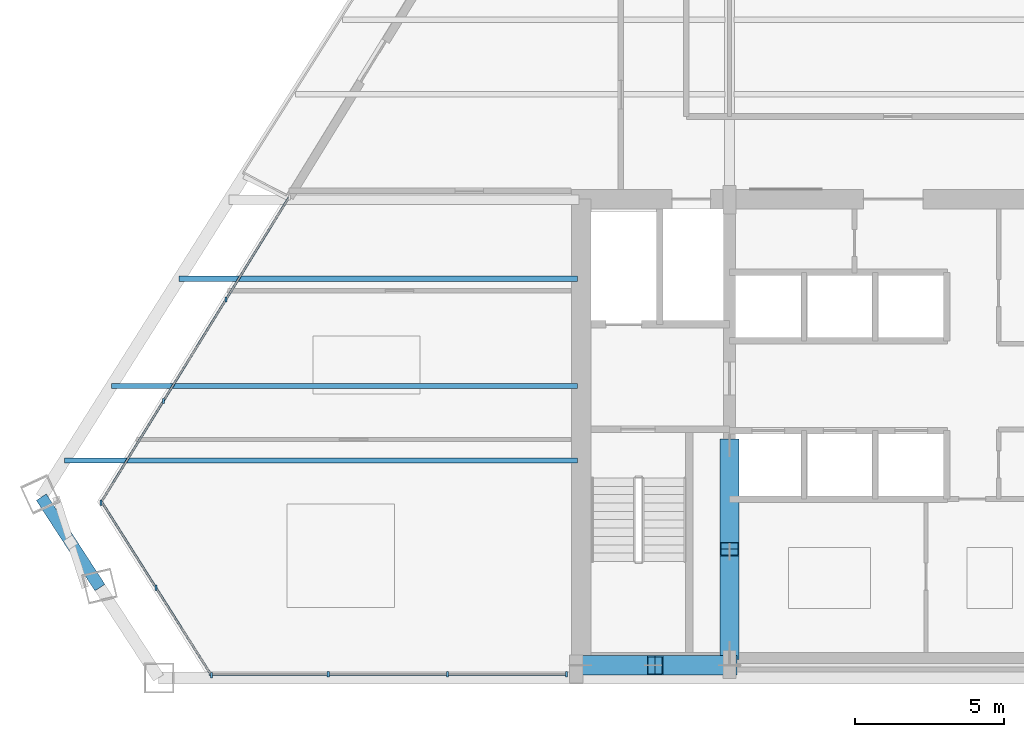
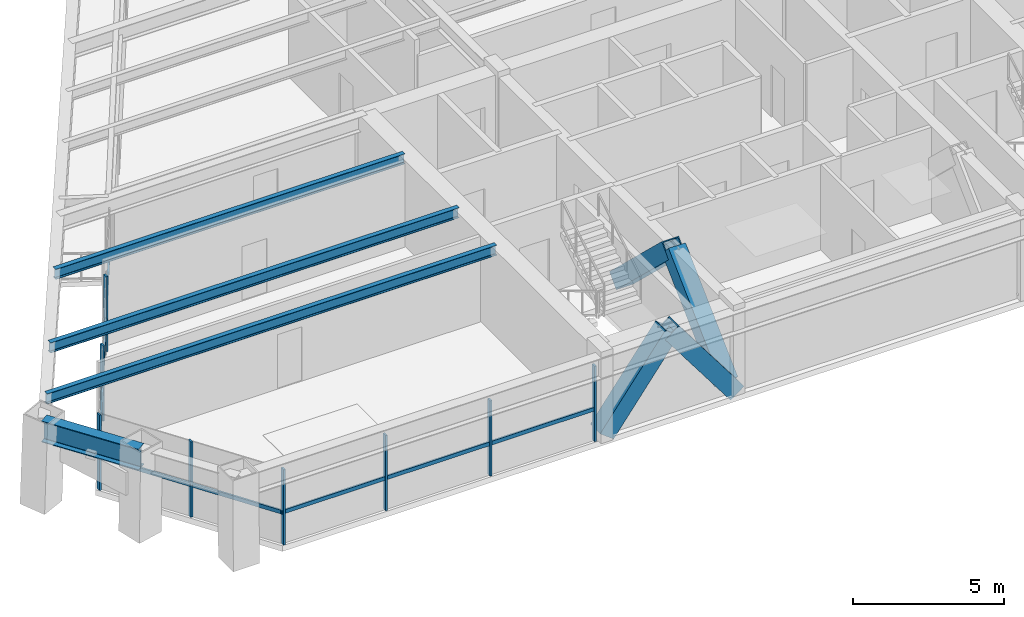
# One storey, part 2 of 15: 20 members, 4 beams, 3 elements without a shape of their own.
"""IFC4 building model written with IfcOpenShell, lengths in metres."""

from ifc_helpers import new_model, si_unit, direction, frame, origin, origin_2d, place, context, subcontext, project, spatial, rectangle, hollow_rectangle, i_section, extrude, source, transform, mapped, material, material_profile, profile_set, type_object, element, aggregate, save


model = new_model("IFC4")

# Units and contexts
model_context = context("Model", 3, precision=1e-05, world=origin(), true_north=direction((0.0, 1.0)))
body_context = subcontext(model_context, "Body", "Model", "MODEL_VIEW")
ifc_project = project(units=[si_unit("LENGTHUNIT", "METRE"), si_unit("AREAUNIT", "SQUARE_METRE"), si_unit("VOLUMEUNIT", "CUBIC_METRE"), si_unit("PLANEANGLEUNIT", "RADIAN"), si_unit("MASSUNIT", "GRAM", prefix="KILO")], contexts=[model_context])

# Site, building, storey
site_placement = place(None, origin())
site = spatial("IfcSite", under=ifc_project, at=site_placement, CompositionType="ELEMENT")
building_placement = place(site_placement, origin())
building = spatial("IfcBuilding", under=site, at=building_placement, Name="Varnakhor Terracotta Tower", CompositionType="ELEMENT")
storey_placement = place(building_placement, frame((0.0, 0.0, 193.199951171875)))
storey = spatial("IfcBuildingStorey", under=building, at=storey_placement, Name="L49", CompositionType="ELEMENT", Elevation=193.199951171875)

# Members
ifc_material_1 = material(Name="Steel S460", Category="steel")
ifc_material_profile_1 = material_profile(ifc_material_1, hollow_rectangle(XDim=0.64990234375, YDim=0.64990234375, WallThickness=0.0400390625, at=origin_2d()), Name="HSS650X650X40")
ifc_profile_set_1 = profile_set([ifc_material_profile_1], Name="Steel S460")
member_type_1 = type_object("IfcMemberType", Name="MBR-MEGA-650", PredefinedType="BRACE", material=ifc_profile_set_1)
shared_shape_1 = source(origin(), body_context, "Body", "SweptSolid", [
    extrude(hollow_rectangle(XDim=0.64990234375, YDim=0.64990234375, WallThickness=0.0400390625, at=origin_2d()), origin(), (0.0, 0.0, 1.0), 4.805908203125),
])
member_1_placement = place(storey_placement, frame((-5.5, 0.85009765625, 0.0), z_axis=(0.0, 0.723026776832, 0.69082000549), x_axis=(-1.0, 0.0, 0.0)))
element("IfcMember", 1, at=member_1_placement, inside=storey, type_object=member_type_1, Name="L49 Core Coupled Brace CWWA", PredefinedType="BRACE", context=body_context, shape_type="MappedRepresentation", body=[
    mapped(shared_shape_1, transform((0.0, 0.0, 0.0), scale=1.0)),
])
shared_shape_2 = source(origin(), body_context, "Body", "SweptSolid", [
    extrude(hollow_rectangle(XDim=0.64990234375, YDim=0.64990234375, WallThickness=0.0400390625, at=origin_2d()), origin(), (0.0, 0.0, 1.0), 4.156005859375),
])
for number, where, z_axis, x_axis, name in (
    (2, (-10.5, 0.419921875, 0.0), (0.601530923869, 0.0, 0.798849515009), (0.0, 1.0, 0.0), "L49 Core Coupled Brace CSWA"),
    (3, (-5.5, 0.419921875, 0.0), (-0.601530923869, 0.0, 0.798849515009), (0.0, -1.0, 0.0), "L49 Core Coupled Brace CSWB"),
):
    element("IfcMember", number, at=place(storey_placement, frame(where, z_axis=z_axis, x_axis=x_axis)), inside=storey, type_object=member_type_1, Name=name, PredefinedType="BRACE", context=body_context, shape_type="MappedRepresentation", body=[
        mapped(shared_shape_2, transform((0.0, 0.0, 0.0), scale=1.0)),
    ])
shared_shape_3 = source(origin(), body_context, "Body", "SweptSolid", [
    extrude(hollow_rectangle(XDim=0.64990234375, YDim=0.64990234375, WallThickness=0.0400390625, at=origin_2d()), origin(), (0.0, 0.0, 1.0), 4.80615234375),
])
member_2_placement = place(storey_placement, frame((-5.5, 7.800048828125, 0.0), z_axis=(0.0, -0.723051018573, 0.690794632681), x_axis=(1.0, 0.0, 0.0)))
element("IfcMember", 4, at=member_2_placement, inside=storey, type_object=member_type_1, Name="L49 Core Coupled Brace CWWB", PredefinedType="BRACE", context=body_context, shape_type="MappedRepresentation", body=[
    mapped(shared_shape_3, transform((0.0, 0.0, 0.0), scale=1.0)),
])

# Beams
ifc_material_2 = material(Name="Steel S355", Category="steel")
ifc_material_profile_2 = material_profile(ifc_material_2, i_section(OverallWidth=0.39990234375, OverallDepth=0.85498046875, WebThickness=0.01806640625, FlangeThickness=0.029052734375, FilletRadius=0.01806640625, at=origin_2d()), Name="W33X201")
ifc_profile_set_2 = profile_set([ifc_material_profile_2], Name="Steel S355")
beam_type_1 = type_object("IfcBeamType", Name="BM-W33X201", PredefinedType="BEAM", material=ifc_profile_set_2)
shared_shape_4 = source(origin(), body_context, "Body", "SweptSolid", [
    extrude(i_section(OverallWidth=0.39990234375, OverallDepth=0.85498046875, WebThickness=0.01806640625, FlangeThickness=0.029052734375, FilletRadius=0.01806640625, at=origin_2d()), origin(), (0.0, 0.0, 1.0), 3.6162109375),
])
beam_1_placement = place(storey_placement, frame((-28.607421875, 6.067626953125, 3.04248046875), z_axis=(0.544155143923, -0.838984612101, 0.0), x_axis=(0.838984612101, 0.544155143923, 0.0)))
element("IfcBeam", 5, at=beam_1_placement, inside=storey, type_object=beam_type_1, Name="L49 Perimeter Spandrel 7", PredefinedType="BEAM", context=body_context, shape_type="MappedRepresentation", body=[
    mapped(shared_shape_4, transform((0.0, 0.0, 0.0), scale=1.0)),
])
ifc_material_profile_3 = material_profile(ifc_material_2, i_section(OverallWidth=0.179931640625, OverallDepth=0.4130859375, WebThickness=0.009765625, FlangeThickness=0.01611328125, FilletRadius=0.01806640625, at=origin_2d()), Name="W16X50")
ifc_profile_set_3 = profile_set([ifc_material_profile_3], Name="Steel S355")
beam_type_2 = type_object("IfcBeamType", Name="JST-W16X50", PredefinedType="JOIST", material=ifc_profile_set_3)
shared_shape_5 = source(origin(), body_context, "Body", "SweptSolid", [
    extrude(i_section(OverallWidth=0.179931640625, OverallDepth=0.4130859375, WebThickness=0.009765625, FlangeThickness=0.01611328125, FilletRadius=0.01806640625, at=origin_2d()), origin(), (0.0, 0.0, 1.0), 17.2294921875),
])
beam_2_placement = place(storey_placement, frame((-27.82958984375, 7.300048828125, 3.263427734375), z_axis=(1.0, 0.0, 0.0), x_axis=(0.0, 1.0, 0.0)))
element("IfcBeam", 6, at=beam_2_placement, inside=storey, type_object=beam_type_2, Name="L49 Floor Joist W1", PredefinedType="JOIST", context=body_context, shape_type="MappedRepresentation", body=[
    mapped(shared_shape_5, transform((0.0, 0.0, 0.0), scale=1.0)),
])
shared_shape_6 = source(origin(), body_context, "Body", "SweptSolid", [
    extrude(i_section(OverallWidth=0.179931640625, OverallDepth=0.4130859375, WebThickness=0.009765625, FlangeThickness=0.01611328125, FilletRadius=0.01806640625, at=origin_2d()), origin(), (0.0, 0.0, 1.0), 15.652099609375),
])
beam_3_placement = place(storey_placement, frame((-26.252197265625, 9.800048828125, 3.263427734375), z_axis=(1.0, 0.0, 0.0), x_axis=(0.0, 1.0, 0.0)))
element("IfcBeam", 7, at=beam_3_placement, inside=storey, type_object=beam_type_2, Name="L49 Floor Joist W2", PredefinedType="JOIST", context=body_context, shape_type="MappedRepresentation", body=[
    mapped(shared_shape_6, transform((0.0, 0.0, 0.0), scale=1.0)),
])
shared_shape_7 = source(origin(), body_context, "Body", "SweptSolid", [
    extrude(i_section(OverallWidth=0.179931640625, OverallDepth=0.4130859375, WebThickness=0.009765625, FlangeThickness=0.01611328125, FilletRadius=0.01806640625, at=origin_2d()), origin(), (0.0, 0.0, 1.0), 13.380615234375),
])
beam_4_placement = place(storey_placement, frame((-23.980712890625, 13.39990234375, 3.263427734375), z_axis=(1.0, 0.0, 0.0), x_axis=(0.0, 1.0, 0.0)))
element("IfcBeam", 8, at=beam_4_placement, inside=storey, type_object=beam_type_2, Name="L49 Floor Joist W3", PredefinedType="JOIST", context=body_context, shape_type="MappedRepresentation", body=[
    mapped(shared_shape_7, transform((0.0, 0.0, 0.0), scale=1.0)),
])

# Curtain wall, members
ifc_material_3 = material(Name="Anodised Aluminium Curtain Wall System", Category="aluminium")
curtain_wall_type = type_object("IfcCurtainWallType", Name="CW-SYS-MID-OFFICE", PredefinedType="NOTDEFINED", material=ifc_material_3)
curtain_wall_1_placement = place(storey_placement, origin())
curtain_wall_1 = element("IfcCurtainWall", 9, at=curtain_wall_1_placement, inside=storey, type_object=curtain_wall_type, Name="L49 W Facet Curtain Wall 1", PredefinedType="NOTDEFINED")
ifc_material_4 = material(Name="Anodised Aluminium 6063-T6", Category="aluminium")
ifc_material_profile_4 = material_profile(ifc_material_4, rectangle(XDim=0.070068359375, YDim=0.175048828125, at=origin_2d()), Name="ALU MULLION 70x175")
ifc_profile_set_4 = profile_set([ifc_material_profile_4], Name="Anodised Aluminium 6063-T6")
member_type_2 = type_object("IfcMemberType", Name="CWM-03", PredefinedType="MULLION", material=ifc_profile_set_4)
shared_shape_8 = source(origin(), body_context, "Body", "SweptSolid", [
    extrude(rectangle(XDim=0.070068359375, YDim=0.175048828125, at=origin_2d()), origin(), (0.0, 0.0, 1.0), 3.050048828125),
])
member_3_placement = place(storey_placement, frame((-26.609130859375, 5.8818359375, 0.0), z_axis=(0.0, 0.0, 1.0), x_axis=(1.0, 0.0, 0.0)))
member_3 = element("IfcMember", 10, at=member_3_placement, type_object=member_type_2, Name="L49 W Facet Curtain Wall 1 Mullion 1", PredefinedType="MULLION", context=body_context, shape_type="MappedRepresentation", body=[
    mapped(shared_shape_8, transform((0.0, 0.0, 0.0), scale=1.0)),
])
member_4_placement = place(storey_placement, frame((-24.507080078125, 9.29443359375, 0.0), z_axis=(0.0, 0.0, 1.0), x_axis=(1.0, 0.0, 0.0)))
member_4 = element("IfcMember", 11, at=member_4_placement, type_object=member_type_2, Name="L49 W Facet Curtain Wall 1 Mullion 2", PredefinedType="MULLION", context=body_context, shape_type="MappedRepresentation", body=[
    mapped(shared_shape_8, transform((0.0, 0.0, 0.0), scale=1.0)),
])
member_5_placement = place(storey_placement, frame((-22.405029296875, 12.70703125, 0.0), z_axis=(0.0, 0.0, 1.0), x_axis=(1.0, 0.0, 0.0)))
member_5 = element("IfcMember", 12, at=member_5_placement, type_object=member_type_2, Name="L49 W Facet Curtain Wall 1 Mullion 3", PredefinedType="MULLION", context=body_context, shape_type="MappedRepresentation", body=[
    mapped(shared_shape_8, transform((0.0, 0.0, 0.0), scale=1.0)),
])

curtain_wall_2_placement = place(storey_placement, origin())
curtain_wall_2 = element("IfcCurtainWall", 13, at=curtain_wall_2_placement, inside=storey, type_object=curtain_wall_type, Name="L49 South Wing Curtain Wall SSW", PredefinedType="NOTDEFINED")
member_6_placement = place(storey_placement, frame((-10.969970703125, 0.1201171875, 0.0), z_axis=(0.0, 0.0, 1.0), x_axis=(1.0, 0.0, 0.0)))
member_6 = element("IfcMember", 14, at=member_6_placement, type_object=member_type_2, Name="L49 South Wing Curtain Wall SSW Mullion 1", PredefinedType="MULLION", context=body_context, shape_type="MappedRepresentation", body=[
    mapped(shared_shape_8, transform((0.0, 0.0, 0.0), scale=1.0)),
])
member_7_placement = place(storey_placement, frame((-14.970947265625, 0.1201171875, 0.0), z_axis=(0.0, 0.0, 1.0), x_axis=(1.0, 0.0, 0.0)))
member_7 = element("IfcMember", 15, at=member_7_placement, type_object=member_type_2, Name="L49 South Wing Curtain Wall SSW Mullion 2", PredefinedType="MULLION", context=body_context, shape_type="MappedRepresentation", body=[
    mapped(shared_shape_8, transform((0.0, 0.0, 0.0), scale=1.0)),
])
member_8_placement = place(storey_placement, frame((-18.971923828125, 0.1201171875, 0.0), z_axis=(0.0, 0.0, 1.0), x_axis=(1.0, 0.0, 0.0)))
member_8 = element("IfcMember", 16, at=member_8_placement, type_object=member_type_2, Name="L49 South Wing Curtain Wall SSW Mullion 3", PredefinedType="MULLION", context=body_context, shape_type="MappedRepresentation", body=[
    mapped(shared_shape_8, transform((0.0, 0.0, 0.0), scale=1.0)),
])

curtain_wall_3_placement = place(storey_placement, origin())
curtain_wall_3 = element("IfcCurtainWall", 17, at=curtain_wall_3_placement, inside=storey, type_object=curtain_wall_type, Name="L49 Facet Curtain Wall 6", PredefinedType="NOTDEFINED")
member_9_placement = place(storey_placement, frame((-22.8974609375, 0.089599609375, 0.0), z_axis=(0.0, 0.0, 1.0), x_axis=(1.0, 0.0, 0.0)))
member_9 = element("IfcMember", 18, at=member_9_placement, type_object=member_type_2, Name="L49 Facet Curtain Wall 6 Mullion 1", PredefinedType="MULLION", context=body_context, shape_type="MappedRepresentation", body=[
    mapped(shared_shape_8, transform((0.0, 0.0, 0.0), scale=1.0)),
])
member_10_placement = place(storey_placement, frame((-24.75341796875, 3.023681640625, 0.0), z_axis=(0.0, 0.0, 1.0), x_axis=(1.0, 0.0, 0.0)))
member_10 = element("IfcMember", 19, at=member_10_placement, type_object=member_type_2, Name="L49 Facet Curtain Wall 6 Mullion 2", PredefinedType="MULLION", context=body_context, shape_type="MappedRepresentation", body=[
    mapped(shared_shape_8, transform((0.0, 0.0, 0.0), scale=1.0)),
])

# Member
ifc_material_profile_5 = material_profile(ifc_material_4, rectangle(XDim=0.070068359375, YDim=0.155029296875, at=origin_2d()), Name="ALU TRANSOM 70x155")
ifc_profile_set_5 = profile_set([ifc_material_profile_5], Name="Anodised Aluminium 6063-T6")
member_type_3 = type_object("IfcMemberType", Name="CWT-03", PredefinedType="USERDEFINED", material=ifc_profile_set_5)
shared_shape_9 = source(origin(), body_context, "Body", "SweptSolid", [
    extrude(rectangle(XDim=0.070068359375, YDim=0.155029296875, at=origin_2d()), origin(), (0.0, 0.0, 1.0), 4.008056640625),
])
member_11_placement = place(storey_placement, frame((-26.609130859375, 5.8818359375, 1.281005859375), z_axis=(0.524457625924, 0.851436549961, 0.0), x_axis=(-0.851436549961, 0.524457625924, 0.0)))
member_11 = element("IfcMember", 20, at=member_11_placement, type_object=member_type_3, Name="L49 W Facet Curtain Wall 1 Transom 1", ObjectType="TRANSOM", PredefinedType="USERDEFINED", context=body_context, shape_type="MappedRepresentation", body=[
    mapped(shared_shape_9, transform((0.0, 0.0, 0.0), scale=1.0)),
])

member_12_placement = place(storey_placement, frame((-24.507080078125, 9.29443359375, 1.281005859375), z_axis=(0.524457625924, 0.851436549961, 0.0), x_axis=(-0.851436549961, 0.524457625924, 0.0)))
member_12 = element("IfcMember", 21, at=member_12_placement, type_object=member_type_3, Name="L49 W Facet Curtain Wall 1 Transom 2", ObjectType="TRANSOM", PredefinedType="USERDEFINED", context=body_context, shape_type="MappedRepresentation", body=[
    mapped(shared_shape_9, transform((0.0, 0.0, 0.0), scale=1.0)),
])

member_13_placement = place(storey_placement, frame((-22.405029296875, 12.70703125, 1.281005859375), z_axis=(0.524457625924, 0.851436549961, 0.0), x_axis=(-0.851436549961, 0.524457625924, 0.0)))
member_13 = element("IfcMember", 22, at=member_13_placement, type_object=member_type_3, Name="L49 W Facet Curtain Wall 1 Transom 3", ObjectType="TRANSOM", PredefinedType="USERDEFINED", context=body_context, shape_type="MappedRepresentation", body=[
    mapped(shared_shape_9, transform((0.0, 0.0, 0.0), scale=1.0)),
])

aggregate(curtain_wall_1, [member_3, member_11, member_4, member_12, member_5, member_13])

shared_shape_10 = source(origin(), body_context, "Body", "SweptSolid", [
    extrude(rectangle(XDim=0.070068359375, YDim=0.155029296875, at=origin_2d()), origin(), (0.0, 0.0, 1.0), 4.0009765625),
])
member_14_placement = place(storey_placement, frame((-10.969970703125, 0.1201171875, 1.281005859375), z_axis=(-1.0, 0.0, 0.0), x_axis=(0.0, -1.0, 0.0)))
member_14 = element("IfcMember", 23, at=member_14_placement, type_object=member_type_3, Name="L49 South Wing Curtain Wall SSW Transom 1", ObjectType="TRANSOM", PredefinedType="USERDEFINED", context=body_context, shape_type="MappedRepresentation", body=[
    mapped(shared_shape_10, transform((0.0, 0.0, 0.0), scale=1.0)),
])

member_15_placement = place(storey_placement, frame((-14.970947265625, 0.1201171875, 1.281005859375), z_axis=(-1.0, 0.0, 0.0), x_axis=(0.0, -1.0, 0.0)))
member_15 = element("IfcMember", 24, at=member_15_placement, type_object=member_type_3, Name="L49 South Wing Curtain Wall SSW Transom 2", ObjectType="TRANSOM", PredefinedType="USERDEFINED", context=body_context, shape_type="MappedRepresentation", body=[
    mapped(shared_shape_10, transform((0.0, 0.0, 0.0), scale=1.0)),
])

member_16_placement = place(storey_placement, frame((-18.971923828125, 0.1201171875, 1.281005859375), z_axis=(-1.0, 0.0, 0.0), x_axis=(0.0, -1.0, 0.0)))
member_16 = element("IfcMember", 25, at=member_16_placement, type_object=member_type_3, Name="L49 South Wing Curtain Wall SSW Transom 3", ObjectType="TRANSOM", PredefinedType="USERDEFINED", context=body_context, shape_type="MappedRepresentation", body=[
    mapped(shared_shape_10, transform((0.0, 0.0, 0.0), scale=1.0)),
])

aggregate(curtain_wall_2, [member_6, member_14, member_7, member_15, member_8, member_16])

shared_shape_11 = source(origin(), body_context, "Body", "SweptSolid", [
    extrude(rectangle(XDim=0.070068359375, YDim=0.155029296875, at=origin_2d()), origin(), (0.0, 0.0, 1.0), 3.471923828125),
])
member_17_placement = place(storey_placement, frame((-22.8974609375, 0.089599609375, 1.281005859375), z_axis=(-0.534580216921, 0.845117738352, 0.0), x_axis=(-0.845117738352, -0.534580216921, 0.0)))
member_17 = element("IfcMember", 26, at=member_17_placement, type_object=member_type_3, Name="L49 Facet Curtain Wall 6 Transom 1", ObjectType="TRANSOM", PredefinedType="USERDEFINED", context=body_context, shape_type="MappedRepresentation", body=[
    mapped(shared_shape_11, transform((0.0, 0.0, 0.0), scale=1.0)),
])

shared_shape_12 = source(origin(), body_context, "Body", "SweptSolid", [
    extrude(rectangle(XDim=0.070068359375, YDim=0.155029296875, at=origin_2d()), origin(), (0.0, 0.0, 1.0), 3.47216796875),
])
member_18_placement = place(storey_placement, frame((-24.75341796875, 3.023681640625, 1.281005859375), z_axis=(-0.534598670099, 0.84510606549, 0.0), x_axis=(-0.84510606549, -0.534598670099, 0.0)))
member_18 = element("IfcMember", 27, at=member_18_placement, type_object=member_type_3, Name="L49 Facet Curtain Wall 6 Transom 2", ObjectType="TRANSOM", PredefinedType="USERDEFINED", context=body_context, shape_type="MappedRepresentation", body=[
    mapped(shared_shape_12, transform((0.0, 0.0, 0.0), scale=1.0)),
])

aggregate(curtain_wall_3, [member_9, member_17, member_10, member_18])

save(model, "model.ifc")
